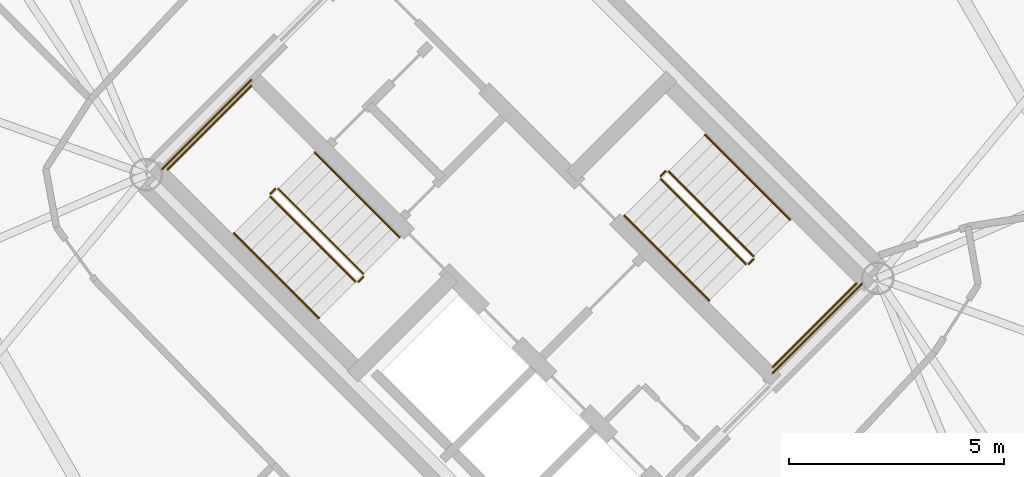
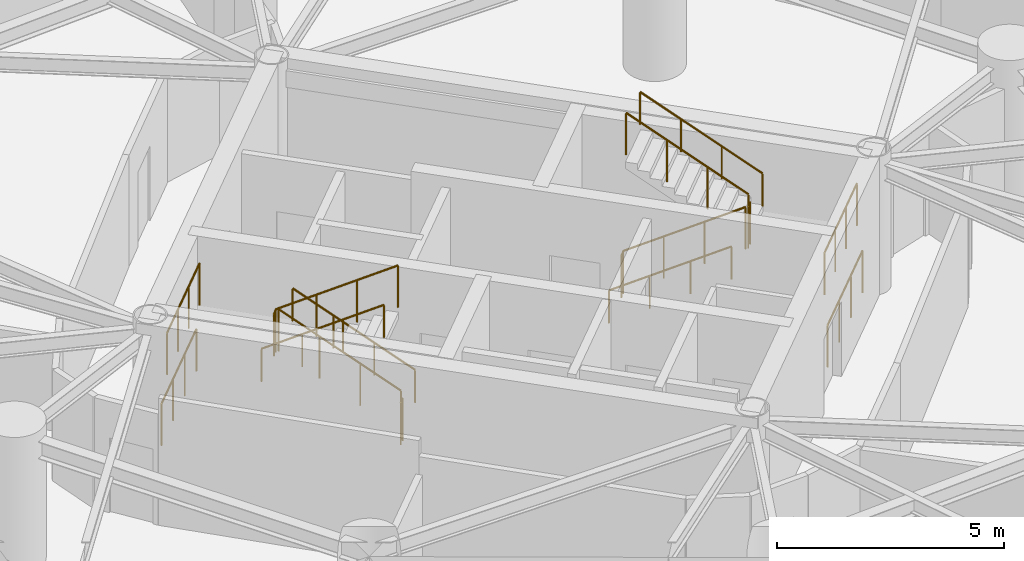
# One storey, part 19 of 19: 16 railings.
"""IFC4 building model written with IfcOpenShell, lengths in metres."""

from ifc_helpers import new_model, si_unit, direction, frame, origin, origin_2d, place, context, subcontext, project, spatial, circle, extrude, material, type_object, element, save


model = new_model("IFC4")

# Units and contexts
model_context = context("Model", 3, precision=1e-05, world=origin(), true_north=direction((0.0, 1.0)))
body_context = subcontext(model_context, "Body", "Model", "MODEL_VIEW")
ifc_project = project(units=[si_unit("LENGTHUNIT", "METRE"), si_unit("AREAUNIT", "SQUARE_METRE"), si_unit("VOLUMEUNIT", "CUBIC_METRE"), si_unit("PLANEANGLEUNIT", "RADIAN"), si_unit("MASSUNIT", "GRAM", prefix="KILO")], contexts=[model_context])

# Site, building, storey
site_placement = place(None, origin())
site = spatial("IfcSite", under=ifc_project, at=site_placement, CompositionType="ELEMENT")
building_placement = place(site_placement, origin())
building = spatial("IfcBuilding", under=site, at=building_placement, Name="Cununo Teusaquillo Station Towers", CompositionType="ELEMENT")
storey_placement = place(building_placement, frame((0.0, 0.0, 136.60009765625)))
storey = spatial("IfcBuildingStorey", under=building, at=storey_placement, Name="L43", CompositionType="ELEMENT", Elevation=136.60009765625)

# Railings
ifc_material_1 = material(Name="Steel EN 10025-2 S355J2", Category="steel")
railing_type_1 = type_object("IfcRailingType", Name="RL-INT-GUARD", PredefinedType="GUARDRAIL", material=ifc_material_1)
railing_1_placement = place(storey_placement, frame((54.03515625, 23.39697265625, 0.1689453125)))
element("IfcRailing", 1, at=railing_1_placement, inside=storey, type_object=railing_type_1, Name="L43 ST-T2-1 stair guard 1", PredefinedType="GUARDRAIL", context=body_context, shape_type="SweptSolid", body=[
    extrude(circle(Radius=0.02392578125, at=origin_2d()), frame((0.0, 0.0, 1.1259765625), z_axis=(-0.60528201841, 0.60528201841, 0.516979067642), x_axis=(-0.707106781187, -0.707106781187, 0.0)), (0.0, 0.0, 1.0), 3.270751953125),
    extrude(circle(Radius=0.02099609375, at=origin_2d()), origin(), (0.0, 0.0, 1.0), 1.101806640625),
    extrude(circle(Radius=0.02099609375, at=origin_2d()), frame((-0.659912109375, 0.659912109375, 0.563720703125)), (0.0, 0.0, 1.0), 1.101806640625),
    extrude(circle(Radius=0.02099609375, at=origin_2d()), frame((-1.31982421875, 1.31982421875, 1.127197265625)), (0.0, 0.0, 1.0), 1.101806640625),
    extrude(circle(Radius=0.02099609375, at=origin_2d()), frame((-1.979736328125, 1.979736328125, 1.69091796875)), (0.0, 0.0, 1.0), 1.101806640625),
])
railing_2_placement = place(storey_placement, frame((51.984619140625, 25.376708984375, 1.85986328125)))
element("IfcRailing", 2, at=railing_2_placement, inside=storey, type_object=railing_type_1, Name="L43 ST-T2-1 stair guard 2", PredefinedType="GUARDRAIL", context=body_context, shape_type="SweptSolid", body=[
    extrude(circle(Radius=0.02392578125, at=origin_2d()), frame((0.0, 0.0, 1.1259765625), z_axis=(-0.707106781187, -0.707106781187, 0.0), x_axis=(0.707106781187, -0.707106781187, 0.0)), (0.0, 0.0, 1.0), 0.159912109375),
    extrude(circle(Radius=0.02099609375, at=origin_2d()), origin(), (0.0, 0.0, 1.0), 1.101806640625),
    extrude(circle(Radius=0.02099609375, at=origin_2d()), frame((-0.113037109375, -0.113037109375, 0.0)), (0.0, 0.0, 1.0), 1.101806640625),
])
railing_3_placement = place(storey_placement, frame((51.426025390625, 27.77392578125, 1.85986328125)))
element("IfcRailing", 3, at=railing_3_placement, inside=storey, type_object=railing_type_1, Name="L43 ST-T2-1 stair guard 3", PredefinedType="GUARDRAIL", context=body_context, shape_type="SweptSolid", body=[
    extrude(circle(Radius=0.02392578125, at=origin_2d()), frame((0.0, 0.0, 1.1259765625), z_axis=(-0.707106781187, -0.707106781187, 0.0), x_axis=(0.707106781187, -0.707106781187, 0.0)), (0.0, 0.0, 1.0), 2.760009765625),
    extrude(circle(Radius=0.02099609375, at=origin_2d()), origin(), (0.0, 0.0, 1.0), 1.101806640625),
    extrude(circle(Radius=0.02099609375, at=origin_2d()), frame((-0.650634765625, -0.650634765625, 0.0)), (0.0, 0.0, 1.0), 1.101806640625),
    extrude(circle(Radius=0.02099609375, at=origin_2d()), frame((-1.301025390625, -1.301025390625, 0.0)), (0.0, 0.0, 1.0), 1.101806640625),
    extrude(circle(Radius=0.02099609375, at=origin_2d()), frame((-1.95166015625, -1.95166015625, 0.0)), (0.0, 0.0, 1.0), 1.101806640625),
])
railing_4_placement = place(storey_placement, frame((51.87158203125, 25.19287109375, 2.029052734375)))
element("IfcRailing", 4, at=railing_4_placement, inside=storey, type_object=railing_type_1, Name="L43 ST-T2-1 stair guard 4", PredefinedType="GUARDRAIL", context=body_context, shape_type="SweptSolid", body=[
    extrude(circle(Radius=0.02392578125, at=origin_2d()), frame((0.0, 0.0, 1.1259765625), z_axis=(0.60528201841, -0.60528201841, 0.516979067642), x_axis=(0.707106781187, 0.707106781187, 0.0)), (0.0, 0.0, 1.0), 3.270751953125),
    extrude(circle(Radius=0.02099609375, at=origin_2d()), origin(), (0.0, 0.0, 1.0), 1.101806640625),
    extrude(circle(Radius=0.02099609375, at=origin_2d()), frame((0.659912109375, -0.659912109375, 0.563720703125)), (0.0, 0.0, 1.0), 1.101806640625),
    extrude(circle(Radius=0.02099609375, at=origin_2d()), frame((1.31982421875, -1.31982421875, 1.127197265625)), (0.0, 0.0, 1.0), 1.101806640625),
    extrude(circle(Radius=0.02099609375, at=origin_2d()), frame((1.979736328125, -1.979736328125, 1.69091796875)), (0.0, 0.0, 1.0), 1.101806640625),
])
railing_5_placement = place(storey_placement, frame((54.03515625, 23.326171875, 0.0)))
element("IfcRailing", 5, at=railing_5_placement, inside=storey, type_object=railing_type_1, Name="L43 ST-T2-1 stair guard 5", PredefinedType="GUARDRAIL", context=body_context, shape_type="SweptSolid", body=[
    extrude(circle(Radius=0.02392578125, at=origin_2d()), frame((0.0, 0.0, 1.1259765625), z_axis=(-0.707106781187, -0.707106781187, 0.0), x_axis=(0.707106781187, -0.707106781187, 0.0)), (0.0, 0.0, 1.0), 0.159912109375),
    extrude(circle(Radius=0.02099609375, at=origin_2d()), origin(), (0.0, 0.0, 1.0), 1.101806640625),
    extrude(circle(Radius=0.02099609375, at=origin_2d()), frame((-0.113037109375, -0.113037109375, 0.0)), (0.0, 0.0, 1.0), 1.101806640625),
])
railing_6_placement = place(storey_placement, frame((51.426025390625, 27.915283203125, 0.0)))
element("IfcRailing", 6, at=railing_6_placement, inside=storey, type_object=railing_type_1, Name="L43 ST-T2-1 stair guard 6", PredefinedType="GUARDRAIL", context=body_context, shape_type="SweptSolid", body=[
    extrude(circle(Radius=0.02392578125, at=origin_2d()), frame((0.0, 0.0, 1.1259765625), z_axis=(-0.707106781187, -0.707106781187, 0.0), x_axis=(0.707106781187, -0.707106781187, 0.0)), (0.0, 0.0, 1.0), 2.9599609375),
    extrude(circle(Radius=0.02099609375, at=origin_2d()), origin(), (0.0, 0.0, 1.0), 1.101806640625),
    extrude(circle(Radius=0.02099609375, at=origin_2d()), frame((-0.69775390625, -0.69775390625, 0.0)), (0.0, 0.0, 1.0), 1.101806640625),
    extrude(circle(Radius=0.02099609375, at=origin_2d()), frame((-1.395263671875, -1.395263671875, 0.0)), (0.0, 0.0, 1.0), 1.101806640625),
    extrude(circle(Radius=0.02099609375, at=origin_2d()), frame((-2.093017578125, -2.093017578125, 0.0)), (0.0, 0.0, 1.0), 1.101806640625),
])
railing_7_placement = place(storey_placement, frame((60.96484375, 25.60302734375, 0.1689453125)))
element("IfcRailing", 7, at=railing_7_placement, inside=storey, type_object=railing_type_1, Name="L43 ST-T2-2 stair guard 1", PredefinedType="GUARDRAIL", context=body_context, shape_type="SweptSolid", body=[
    extrude(circle(Radius=0.02392578125, at=origin_2d()), frame((0.0, 0.0, 1.1259765625), z_axis=(0.60528201841, -0.60528201841, 0.516979067642), x_axis=(0.707106781187, 0.707106781187, 0.0)), (0.0, 0.0, 1.0), 3.270751953125),
    extrude(circle(Radius=0.02099609375, at=origin_2d()), origin(), (0.0, 0.0, 1.0), 1.101806640625),
    extrude(circle(Radius=0.02099609375, at=origin_2d()), frame((0.659912109375, -0.659912109375, 0.563720703125)), (0.0, 0.0, 1.0), 1.101806640625),
    extrude(circle(Radius=0.02099609375, at=origin_2d()), frame((1.31982421875, -1.31982421875, 1.127197265625)), (0.0, 0.0, 1.0), 1.101806640625),
    extrude(circle(Radius=0.02099609375, at=origin_2d()), frame((1.979736328125, -1.979736328125, 1.69091796875)), (0.0, 0.0, 1.0), 1.101806640625),
])
railing_8_placement = place(storey_placement, frame((63.015380859375, 23.623291015625, 1.85986328125)))
element("IfcRailing", 8, at=railing_8_placement, inside=storey, type_object=railing_type_1, Name="L43 ST-T2-2 stair guard 2", PredefinedType="GUARDRAIL", context=body_context, shape_type="SweptSolid", body=[
    extrude(circle(Radius=0.02392578125, at=origin_2d()), frame((0.0, 0.0, 1.1259765625), z_axis=(0.707106781187, 0.707106781187, 0.0), x_axis=(-0.707106781187, 0.707106781187, 0.0)), (0.0, 0.0, 1.0), 0.159912109375),
    extrude(circle(Radius=0.02099609375, at=origin_2d()), origin(), (0.0, 0.0, 1.0), 1.101806640625),
    extrude(circle(Radius=0.02099609375, at=origin_2d()), frame((0.113037109375, 0.113037109375, 0.0)), (0.0, 0.0, 1.0), 1.101806640625),
])
railing_9_placement = place(storey_placement, frame((63.573974609375, 21.22607421875, 1.85986328125)))
element("IfcRailing", 9, at=railing_9_placement, inside=storey, type_object=railing_type_1, Name="L43 ST-T2-2 stair guard 3", PredefinedType="GUARDRAIL", context=body_context, shape_type="SweptSolid", body=[
    extrude(circle(Radius=0.02392578125, at=origin_2d()), frame((0.0, 0.0, 1.1259765625), z_axis=(0.707106781187, 0.707106781187, 0.0), x_axis=(-0.707106781187, 0.707106781187, 0.0)), (0.0, 0.0, 1.0), 2.760009765625),
    extrude(circle(Radius=0.02099609375, at=origin_2d()), origin(), (0.0, 0.0, 1.0), 1.101806640625),
    extrude(circle(Radius=0.02099609375, at=origin_2d()), frame((0.650634765625, 0.650634765625, 0.0)), (0.0, 0.0, 1.0), 1.101806640625),
    extrude(circle(Radius=0.02099609375, at=origin_2d()), frame((1.301025390625, 1.301025390625, 0.0)), (0.0, 0.0, 1.0), 1.101806640625),
    extrude(circle(Radius=0.02099609375, at=origin_2d()), frame((1.95166015625, 1.95166015625, 0.0)), (0.0, 0.0, 1.0), 1.101806640625),
])
railing_10_placement = place(storey_placement, frame((63.12841796875, 23.80712890625, 2.029052734375)))
element("IfcRailing", 10, at=railing_10_placement, inside=storey, type_object=railing_type_1, Name="L43 ST-T2-2 stair guard 4", PredefinedType="GUARDRAIL", context=body_context, shape_type="SweptSolid", body=[
    extrude(circle(Radius=0.02392578125, at=origin_2d()), frame((0.0, 0.0, 1.1259765625), z_axis=(-0.60528201841, 0.60528201841, 0.516979067642), x_axis=(-0.707106781187, -0.707106781187, 0.0)), (0.0, 0.0, 1.0), 3.270751953125),
    extrude(circle(Radius=0.02099609375, at=origin_2d()), origin(), (0.0, 0.0, 1.0), 1.101806640625),
    extrude(circle(Radius=0.02099609375, at=origin_2d()), frame((-0.659912109375, 0.659912109375, 0.563720703125)), (0.0, 0.0, 1.0), 1.101806640625),
    extrude(circle(Radius=0.02099609375, at=origin_2d()), frame((-1.31982421875, 1.31982421875, 1.127197265625)), (0.0, 0.0, 1.0), 1.101806640625),
    extrude(circle(Radius=0.02099609375, at=origin_2d()), frame((-1.979736328125, 1.979736328125, 1.69091796875)), (0.0, 0.0, 1.0), 1.101806640625),
])
railing_11_placement = place(storey_placement, frame((60.96484375, 25.673828125, 0.0)))
element("IfcRailing", 11, at=railing_11_placement, inside=storey, type_object=railing_type_1, Name="L43 ST-T2-2 stair guard 5", PredefinedType="GUARDRAIL", context=body_context, shape_type="SweptSolid", body=[
    extrude(circle(Radius=0.02392578125, at=origin_2d()), frame((0.0, 0.0, 1.1259765625), z_axis=(0.707106781187, 0.707106781187, 0.0), x_axis=(-0.707106781187, 0.707106781187, 0.0)), (0.0, 0.0, 1.0), 0.159912109375),
    extrude(circle(Radius=0.02099609375, at=origin_2d()), origin(), (0.0, 0.0, 1.0), 1.101806640625),
    extrude(circle(Radius=0.02099609375, at=origin_2d()), frame((0.113037109375, 0.113037109375, 0.0)), (0.0, 0.0, 1.0), 1.101806640625),
])
railing_12_placement = place(storey_placement, frame((63.573974609375, 21.084716796875, 0.0)))
element("IfcRailing", 12, at=railing_12_placement, inside=storey, type_object=railing_type_1, Name="L43 ST-T2-2 stair guard 6", PredefinedType="GUARDRAIL", context=body_context, shape_type="SweptSolid", body=[
    extrude(circle(Radius=0.02392578125, at=origin_2d()), frame((0.0, 0.0, 1.1259765625), z_axis=(0.707106781187, 0.707106781187, 0.0), x_axis=(-0.707106781187, 0.707106781187, 0.0)), (0.0, 0.0, 1.0), 2.9599609375),
    extrude(circle(Radius=0.02099609375, at=origin_2d()), origin(), (0.0, 0.0, 1.0), 1.101806640625),
    extrude(circle(Radius=0.02099609375, at=origin_2d()), frame((0.69775390625, 0.69775390625, 0.0)), (0.0, 0.0, 1.0), 1.101806640625),
    extrude(circle(Radius=0.02099609375, at=origin_2d()), frame((1.395263671875, 1.395263671875, 0.0)), (0.0, 0.0, 1.0), 1.101806640625),
    extrude(circle(Radius=0.02099609375, at=origin_2d()), frame((2.093017578125, 2.093017578125, 0.0)), (0.0, 0.0, 1.0), 1.101806640625),
])
ifc_material_2 = material(Name="Steel EN 10025-2 S355J2", Category="steel")
railing_type_2 = type_object("IfcRailingType", Name="RL-INT-HRAIL", PredefinedType="HANDRAIL", material=ifc_material_2)
railing_13_placement = place(storey_placement, frame((54.8837890625, 24.245361328125, 0.1689453125)))
element("IfcRailing", 13, at=railing_13_placement, inside=storey, type_object=railing_type_2, Name="L43 ST-T2-1 stair handrail 1", PredefinedType="HANDRAIL", context=body_context, shape_type="SweptSolid", body=[
    extrude(circle(Radius=0.02392578125, at=origin_2d()), frame((0.0, 0.0, 0.8759765625), z_axis=(-0.605301965407, 0.605301965407, 0.516932356647), x_axis=(-0.707106781187, -0.707106781187, 0.0)), (0.0, 0.0, 1.0), 3.27099609375),
    extrude(circle(Radius=0.02099609375, at=origin_2d()), origin(), (0.0, 0.0, 1.0), 0.851806640625),
    extrude(circle(Radius=0.02099609375, at=origin_2d()), frame((-0.659912109375, 0.659912109375, 0.563720703125)), (0.0, 0.0, 1.0), 0.851806640625),
    extrude(circle(Radius=0.02099609375, at=origin_2d()), frame((-1.320068359375, 1.320068359375, 1.127197265625)), (0.0, 0.0, 1.0), 0.851806640625),
    extrude(circle(Radius=0.02099609375, at=origin_2d()), frame((-1.97998046875, 1.97998046875, 1.69091796875)), (0.0, 0.0, 1.0), 0.851806640625),
])
for number, where, name in (
    (14, (51.02294921875, 24.344482421875, 2.029052734375), "L43 ST-T2-1 stair handrail 2"),
    (15, (60.1162109375, 24.754638671875, 0.1689453125), "L43 ST-T2-2 stair handrail 1"),
):
    element("IfcRailing", number, at=place(storey_placement, frame(where)), inside=storey, type_object=railing_type_2, Name=name, PredefinedType="HANDRAIL", context=body_context, shape_type="SweptSolid", body=[
        extrude(circle(Radius=0.02392578125, at=origin_2d()), frame((0.0, 0.0, 0.8759765625), z_axis=(0.605301965407, -0.605301965407, 0.516932356647), x_axis=(0.707106781187, 0.707106781187, 0.0)), (0.0, 0.0, 1.0), 3.27099609375),
        extrude(circle(Radius=0.02099609375, at=origin_2d()), origin(), (0.0, 0.0, 1.0), 0.851806640625),
        extrude(circle(Radius=0.02099609375, at=origin_2d()), frame((0.659912109375, -0.659912109375, 0.563720703125)), (0.0, 0.0, 1.0), 0.851806640625),
        extrude(circle(Radius=0.02099609375, at=origin_2d()), frame((1.320068359375, -1.320068359375, 1.127197265625)), (0.0, 0.0, 1.0), 0.851806640625),
        extrude(circle(Radius=0.02099609375, at=origin_2d()), frame((1.97998046875, -1.97998046875, 1.69091796875)), (0.0, 0.0, 1.0), 0.851806640625),
    ])
railing_14_placement = place(storey_placement, frame((63.97705078125, 24.655517578125, 2.029052734375)))
element("IfcRailing", 16, at=railing_14_placement, inside=storey, type_object=railing_type_2, Name="L43 ST-T2-2 stair handrail 2", PredefinedType="HANDRAIL", context=body_context, shape_type="SweptSolid", body=[
    extrude(circle(Radius=0.02392578125, at=origin_2d()), frame((0.0, 0.0, 0.8759765625), z_axis=(-0.605301965407, 0.605301965407, 0.516932356647), x_axis=(-0.707106781187, -0.707106781187, 0.0)), (0.0, 0.0, 1.0), 3.27099609375),
    extrude(circle(Radius=0.02099609375, at=origin_2d()), origin(), (0.0, 0.0, 1.0), 0.851806640625),
    extrude(circle(Radius=0.02099609375, at=origin_2d()), frame((-0.659912109375, 0.659912109375, 0.563720703125)), (0.0, 0.0, 1.0), 0.851806640625),
    extrude(circle(Radius=0.02099609375, at=origin_2d()), frame((-1.320068359375, 1.320068359375, 1.127197265625)), (0.0, 0.0, 1.0), 0.851806640625),
    extrude(circle(Radius=0.02099609375, at=origin_2d()), frame((-1.97998046875, 1.97998046875, 1.69091796875)), (0.0, 0.0, 1.0), 0.851806640625),
])

save(model, "model.ifc")
